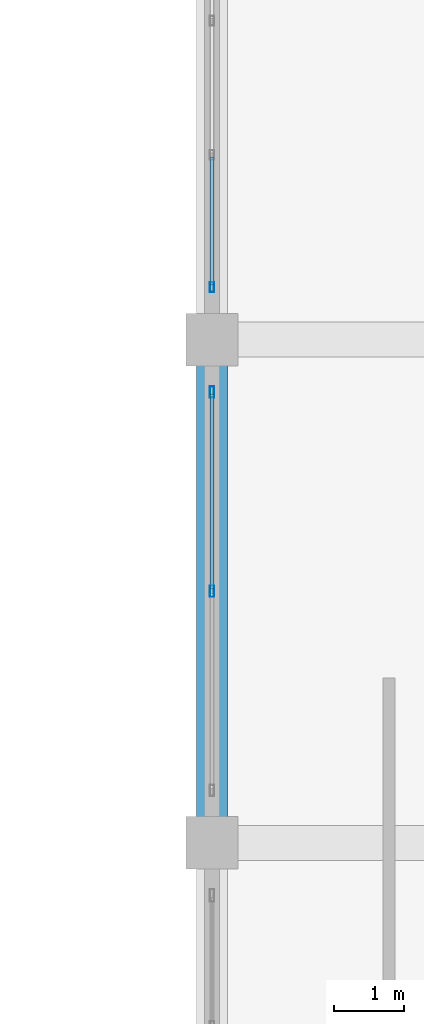
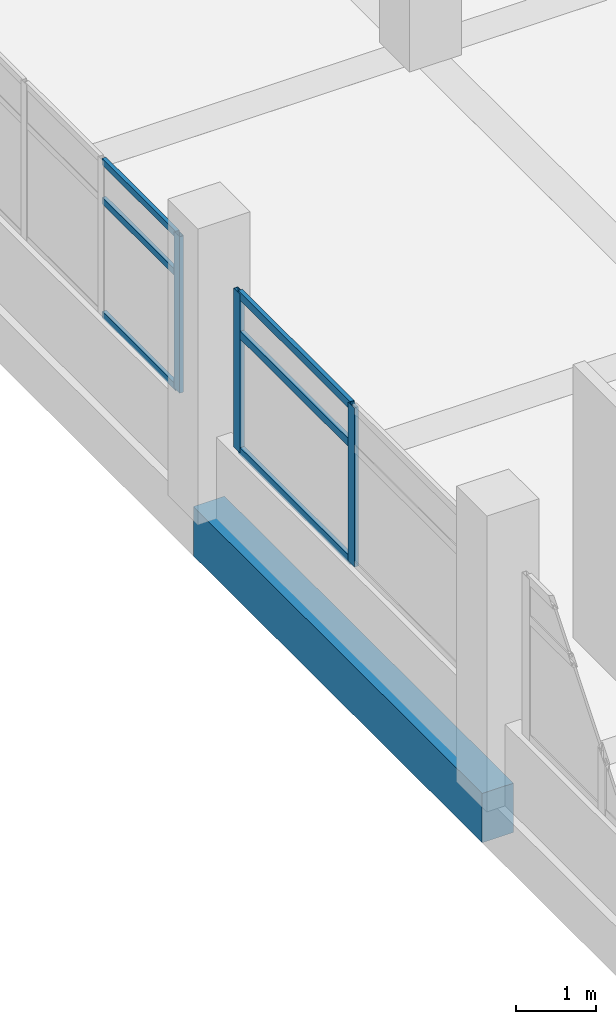
# One storey, part 46 of 141: 9 members, 1 beam, 2 elements without a shape of their own.
"""IFC4 building model written with IfcOpenShell, lengths in metres."""

from ifc_helpers import new_model, si_unit, direction, frame, origin, origin_2d, place, context, subcontext, project, spatial, rectangle, hollow_rectangle, extrude, material, layer, layer_set, material_profile, profile_set, type_object, element, aggregate, save


model = new_model("IFC4")

# Units and contexts
model_context = context("Model", 3, precision=1e-05, world=origin(), true_north=direction((0.0, 1.0)))
body_context = subcontext(model_context, "Body", "Model", "MODEL_VIEW")
ifc_project = project(units=[si_unit("LENGTHUNIT", "METRE"), si_unit("AREAUNIT", "SQUARE_METRE"), si_unit("VOLUMEUNIT", "CUBIC_METRE"), si_unit("PLANEANGLEUNIT", "RADIAN"), si_unit("MASSUNIT", "GRAM", prefix="KILO")], contexts=[model_context])

# Site, building, storey
site_placement = place(None, origin())
site = spatial("IfcSite", under=ifc_project, at=site_placement, CompositionType="ELEMENT")
building_placement = place(site_placement, origin())
building = spatial("IfcBuilding", under=site, at=building_placement, Name="Seraya Terrace Polytechnic", CompositionType="ELEMENT")
storey_placement = place(building_placement, frame((0.0, 0.0, 14.39990234375)))
storey = spatial("IfcBuildingStorey", under=building, at=storey_placement, Name="L03", CompositionType="ELEMENT", Elevation=14.39990234375)

# Beam
ifc_material_1 = material(Name="Concrete C40/50", Category="concrete")
ifc_material_profile_1 = material_profile(ifc_material_1, rectangle(XDim=0.449951171875, YDim=0.75, at=origin_2d()), Name="RC 450x750")
ifc_profile_set_1 = profile_set([ifc_material_profile_1], Name="Concrete C40/50")
beam_type = type_object("IfcBeamType", Name="BM-08", PredefinedType="BEAM", material=ifc_profile_set_1)
beam_placement = place(storey_placement, frame((79.199951171875, 36.0, -0.375), z_axis=(0.0, 1.0, 0.0), x_axis=(-1.0, 0.0, 0.0)))
element("IfcBeam", 1, at=beam_placement, inside=storey, type_object=beam_type, Name="Beam BM-08 L03 Y (79.2, 36.0..43.2)", PredefinedType="BEAM", context=body_context, shape_type="SweptSolid", body=[
    extrude(rectangle(XDim=0.449951171875, YDim=0.75, at=origin_2d()), origin(), (0.0, 0.0, 1.0), 7.199951171875),
])

# Curtain wall, members
ifc_material_2 = material(Name="Anodised aluminium EN AW-6063 T6", Category="aluminium")
ifc_layer_1 = layer(ifc_material_2, 0.179931640625, Name="CW-29")
ifc_layer_set_1 = layer_set([ifc_layer_1], Name="Anodised aluminium EN AW-6063 T6")
curtain_wall_type_1 = type_object("IfcCurtainWallType", Name="CW-29", PredefinedType="NOTDEFINED", material=ifc_layer_set_1)
curtain_wall_1_placement = place(storey_placement, origin())
curtain_wall_1 = element("IfcCurtainWall", 2, at=curtain_wall_1_placement, inside=storey, type_object=curtain_wall_type_1, Name="Unitised curtain wall CW-29 (CW-L03-137)", PredefinedType="NOTDEFINED")
ifc_material_profile_2 = material_profile(ifc_material_2, hollow_rectangle(XDim=0.06005859375, YDim=0.159912109375, WallThickness=0.00341796875, at=origin_2d()), Name="RHS 160x60x3.5")
ifc_profile_set_2 = profile_set([ifc_material_profile_2], Name="Anodised aluminium EN AW-6063 T6")
member_type_1 = type_object("IfcMemberType", Name="CWM-02", PredefinedType="MULLION", material=ifc_profile_set_2)
member_1_placement = place(storey_placement, frame((79.199951171875, 39.60009765625, 1.239990234375), z_axis=(0.0, 0.0, 1.0), x_axis=(-1.0, 0.0, 0.0)))
member_1 = element("IfcMember", 3, at=member_1_placement, type_object=member_type_1, Name="CW-29 mullion 2", PredefinedType="MULLION", context=body_context, shape_type="SweptSolid", body=[
    extrude(hollow_rectangle(XDim=0.06005859375, YDim=0.159912109375, WallThickness=0.00341796875, at=origin_2d()), origin(), (0.0, 0.0, 1.0), 2.420166015625),
])
member_2_placement = place(storey_placement, frame((79.199951171875, 42.449951171875, 1.239990234375), z_axis=(0.0, 0.0, 1.0), x_axis=(-1.0, 0.0, 0.0)))
member_2 = element("IfcMember", 4, at=member_2_placement, type_object=member_type_1, Name="CW-29 mullion 3", PredefinedType="MULLION", context=body_context, shape_type="SweptSolid", body=[
    extrude(hollow_rectangle(XDim=0.06005859375, YDim=0.159912109375, WallThickness=0.00341796875, at=origin_2d()), origin(), (0.0, 0.0, 1.0), 2.420166015625),
])

# Curtain wall, member
ifc_layer_2 = layer(ifc_material_2, 0.179931640625, Name="CW-30")
ifc_layer_set_2 = layer_set([ifc_layer_2], Name="Anodised aluminium EN AW-6063 T6")
curtain_wall_type_2 = type_object("IfcCurtainWallType", Name="CW-30", PredefinedType="NOTDEFINED", material=ifc_layer_set_2)
curtain_wall_2_placement = place(storey_placement, origin())
curtain_wall_2 = element("IfcCurtainWall", 5, at=curtain_wall_2_placement, inside=storey, type_object=curtain_wall_type_2, Name="Unitised curtain wall CW-30 (CW-L03-138)", PredefinedType="NOTDEFINED")
ifc_material_profile_3 = material_profile(ifc_material_2, hollow_rectangle(XDim=0.06005859375, YDim=0.139892578125, WallThickness=0.00341796875, at=origin_2d()), Name="RHS 140x60x3.5")
ifc_profile_set_3 = profile_set([ifc_material_profile_3], Name="Anodised aluminium EN AW-6063 T6")
member_type_2 = type_object("IfcMemberType", Name="CWM-03", PredefinedType="MULLION", material=ifc_profile_set_3)
member_3_placement = place(storey_placement, frame((79.199951171875, 43.949951171875, 1.239990234375), z_axis=(0.0, 0.0, 1.0), x_axis=(-1.0, 0.0, 0.0)))
member_3 = element("IfcMember", 6, at=member_3_placement, type_object=member_type_2, Name="CW-30 mullion 1", PredefinedType="MULLION", context=body_context, shape_type="SweptSolid", body=[
    extrude(hollow_rectangle(XDim=0.06005859375, YDim=0.139892578125, WallThickness=0.00341796875, at=origin_2d()), origin(), (0.0, 0.0, 1.0), 2.380126953125),
])

# Member
ifc_material_profile_4 = material_profile(ifc_material_2, hollow_rectangle(XDim=0.06005859375, YDim=0.1201171875, WallThickness=0.003173828125, at=origin_2d()), Name="RHS 120x60x3.2")
ifc_profile_set_4 = profile_set([ifc_material_profile_4], Name="Anodised aluminium EN AW-6063 T6")
member_type_3 = type_object("IfcMemberType", Name="CWT-02", PredefinedType="USERDEFINED", material=ifc_profile_set_4)
member_4_placement = place(storey_placement, frame((79.199951171875, 39.6298828125, 1.27001953125), z_axis=(0.0, 1.0, 0.0), x_axis=(-1.0, 0.0, 0.0)))
member_4 = element("IfcMember", 7, at=member_4_placement, type_object=member_type_3, Name="CW-29 transom 2.1", ObjectType="TRANSOM", PredefinedType="USERDEFINED", context=body_context, shape_type="SweptSolid", body=[
    extrude(hollow_rectangle(XDim=0.06005859375, YDim=0.1201171875, WallThickness=0.003173828125, at=origin_2d()), origin(), (0.0, 0.0, 1.0), 2.7900390625),
])

member_5_placement = place(storey_placement, frame((79.199951171875, 39.6298828125, 3.0400390625), z_axis=(0.0, 1.0, 0.0), x_axis=(-1.0, 0.0, 0.0)))
member_5 = element("IfcMember", 8, at=member_5_placement, type_object=member_type_3, Name="CW-29 transom 2.2", ObjectType="TRANSOM", PredefinedType="USERDEFINED", context=body_context, shape_type="SweptSolid", body=[
    extrude(hollow_rectangle(XDim=0.06005859375, YDim=0.1201171875, WallThickness=0.003173828125, at=origin_2d()), origin(), (0.0, 0.0, 1.0), 2.7900390625),
])

member_6_placement = place(storey_placement, frame((79.199951171875, 39.6298828125, 3.630126953125), z_axis=(0.0, 1.0, 0.0), x_axis=(-1.0, 0.0, 0.0)))
member_6 = element("IfcMember", 9, at=member_6_placement, type_object=member_type_3, Name="CW-29 transom 2.3", ObjectType="TRANSOM", PredefinedType="USERDEFINED", context=body_context, shape_type="SweptSolid", body=[
    extrude(hollow_rectangle(XDim=0.06005859375, YDim=0.1201171875, WallThickness=0.003173828125, at=origin_2d()), origin(), (0.0, 0.0, 1.0), 2.7900390625),
])

aggregate(curtain_wall_1, [member_1, member_2, member_4, member_5, member_6])

ifc_material_profile_5 = material_profile(ifc_material_2, hollow_rectangle(XDim=0.054931640625, YDim=0.10009765625, WallThickness=0.0029296875, at=origin_2d()), Name="RHS 100x55x3.0")
ifc_profile_set_5 = profile_set([ifc_material_profile_5], Name="Anodised aluminium EN AW-6063 T6")
member_type_4 = type_object("IfcMemberType", Name="CWT-03", PredefinedType="USERDEFINED", material=ifc_profile_set_5)
member_7_placement = place(storey_placement, frame((79.199951171875, 43.97998046875, 1.267578125), z_axis=(0.0, 1.0, 0.0), x_axis=(-1.0, 0.0, 0.0)))
member_7 = element("IfcMember", 10, at=member_7_placement, type_object=member_type_4, Name="CW-30 transom 1.1", ObjectType="TRANSOM", PredefinedType="USERDEFINED", context=body_context, shape_type="SweptSolid", body=[
    extrude(hollow_rectangle(XDim=0.054931640625, YDim=0.10009765625, WallThickness=0.0029296875, at=origin_2d()), origin(), (0.0, 0.0, 1.0), 1.830078125),
])

member_8_placement = place(storey_placement, frame((79.199951171875, 43.97998046875, 3.0), z_axis=(0.0, 1.0, 0.0), x_axis=(-1.0, 0.0, 0.0)))
member_8 = element("IfcMember", 11, at=member_8_placement, type_object=member_type_4, Name="CW-30 transom 1.2", ObjectType="TRANSOM", PredefinedType="USERDEFINED", context=body_context, shape_type="SweptSolid", body=[
    extrude(hollow_rectangle(XDim=0.054931640625, YDim=0.10009765625, WallThickness=0.0029296875, at=origin_2d()), origin(), (0.0, 0.0, 1.0), 1.830078125),
])

member_9_placement = place(storey_placement, frame((79.199951171875, 43.97998046875, 3.592529296875), z_axis=(0.0, 1.0, 0.0), x_axis=(-1.0, 0.0, 0.0)))
member_9 = element("IfcMember", 12, at=member_9_placement, type_object=member_type_4, Name="CW-30 transom 1.3", ObjectType="TRANSOM", PredefinedType="USERDEFINED", context=body_context, shape_type="SweptSolid", body=[
    extrude(hollow_rectangle(XDim=0.054931640625, YDim=0.10009765625, WallThickness=0.0029296875, at=origin_2d()), origin(), (0.0, 0.0, 1.0), 1.830078125),
])

aggregate(curtain_wall_2, [member_3, member_7, member_8, member_9])

save(model, "model.ifc")
